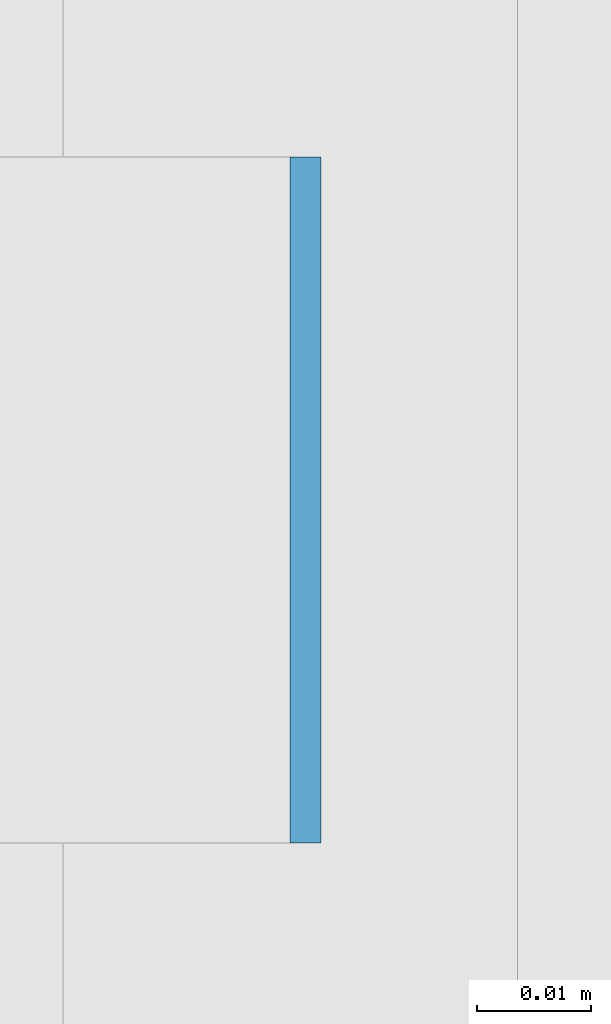
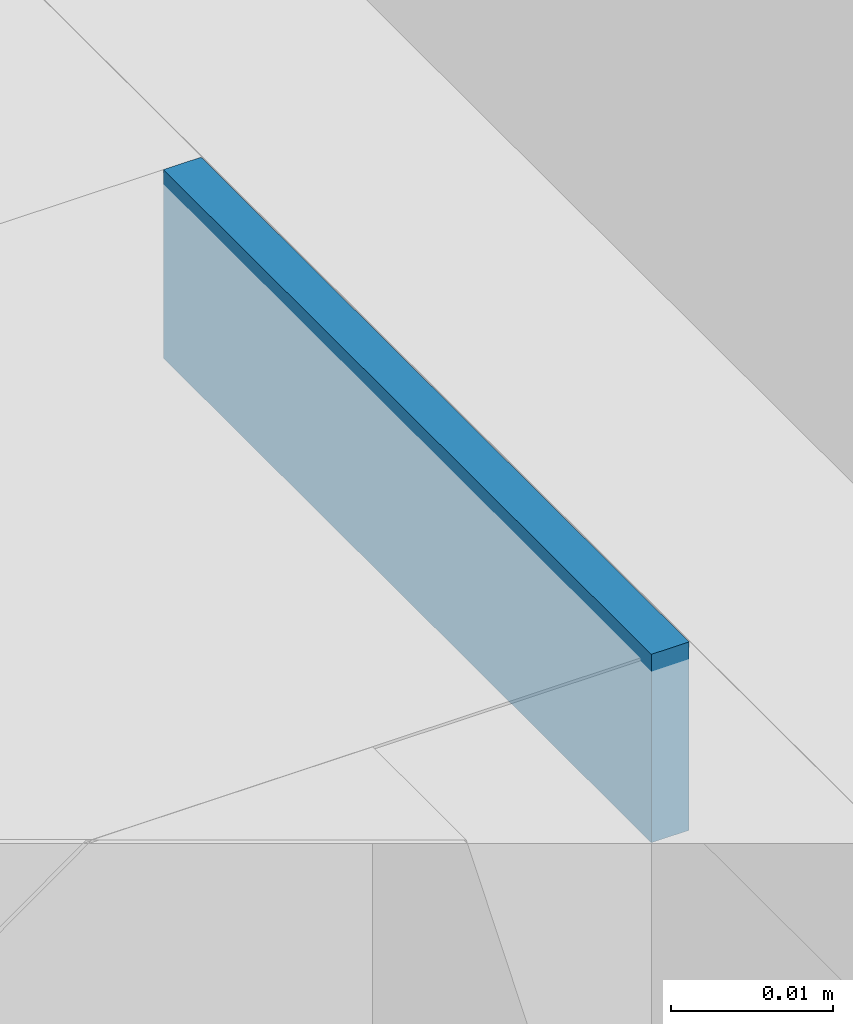
# One storey, part 383 of 646: 1 discrete accessory.
"""IFC4 building model written with IfcOpenShell, lengths in metres."""

from ifc_helpers import new_model, si_unit, direction, frame, origin, origin_2d, place, context, subcontext, project, spatial, rectangle, extrude, material, type_object, element, save


model = new_model("IFC4")

# Units and contexts
model_context = context("Model", 3, precision=1e-05, world=origin(), true_north=direction((0.0, 1.0)))
body_context = subcontext(model_context, "Body", "Model", "MODEL_VIEW")
ifc_project = project(units=[si_unit("LENGTHUNIT", "METRE"), si_unit("AREAUNIT", "SQUARE_METRE"), si_unit("VOLUMEUNIT", "CUBIC_METRE"), si_unit("PLANEANGLEUNIT", "RADIAN"), si_unit("MASSUNIT", "GRAM", prefix="KILO")], contexts=[model_context])

# Site, building, storey
site_placement = place(None, origin())
site = spatial("IfcSite", under=ifc_project, at=site_placement, CompositionType="ELEMENT")
building_placement = place(site_placement, origin())
building = spatial("IfcBuilding", under=site, at=building_placement, Name="Silverbay Arena", CompositionType="ELEMENT")
storey_placement = place(building_placement, frame((0.0, 0.0, 33.5)))
storey = spatial("IfcBuildingStorey", under=building, at=storey_placement, Name="L05", CompositionType="ELEMENT", Elevation=33.5)

# Discrete accessory
ifc_material = material(Name="Steel S355", Category="steel")
discrete_accessory_type = type_object("IfcDiscreteAccessoryType", Name="Steel bracket plate", PredefinedType="BRACKET", material=ifc_material)
discrete_accessory_placement = place(storey_placement, frame((53.871337890625, 109.28564453125, 12.98583984375), z_axis=(0.0, 0.0, 1.0), x_axis=(1.0, 0.0, 0.0)))
element("IfcDiscreteAccessory", 1, at=discrete_accessory_placement, inside=storey, type_object=discrete_accessory_type, Name="Curtain wall packing plate", PredefinedType="BRACKET", context=body_context, shape_type="SweptSolid", body=[
    extrude(rectangle(XDim=0.002685546875, YDim=0.06005859375, at=origin_2d()), origin(), (0.0, 0.0, 1.0), 0.01416015625),
])

save(model, "model.ifc")
